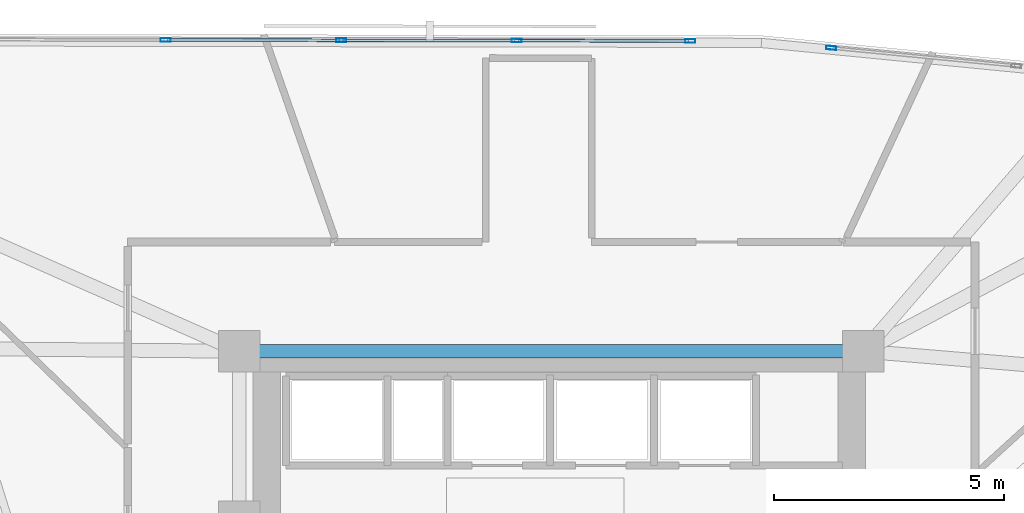
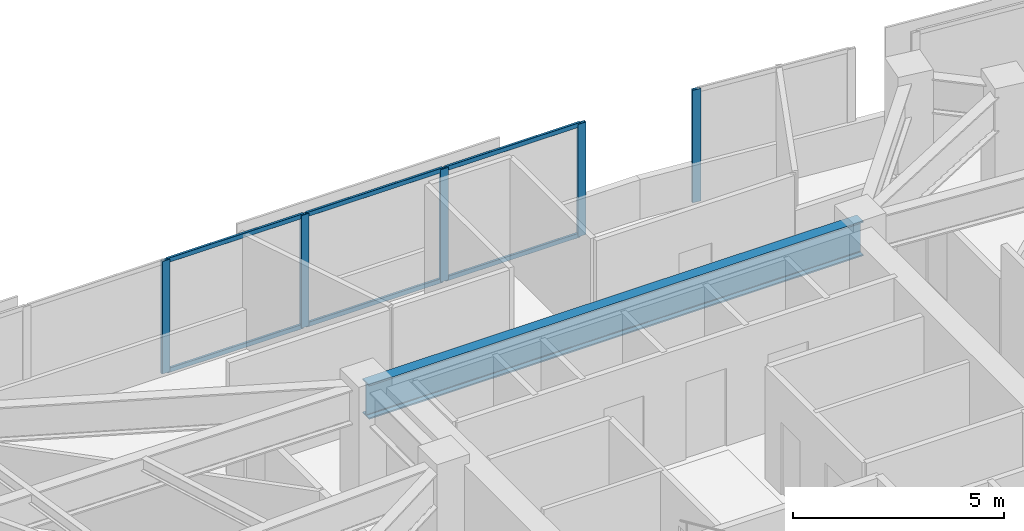
# One storey, part 3 of 14: 11 members, 1 beam, 2 elements without a shape of their own.
"""IFC4 building model written with IfcOpenShell, lengths in metres."""

from ifc_helpers import new_model, si_unit, direction, frame, origin, origin_2d, place, context, subcontext, project, spatial, hollow_rectangle, i_section, extrude, material, material_profile, profile_set, type_object, element, aggregate, save


model = new_model("IFC4")

# Units and contexts
model_context = context("Model", 3, precision=1e-05, world=origin(), true_north=direction((0.0, 1.0)))
body_context = subcontext(model_context, "Body", "Model", "MODEL_VIEW")
ifc_project = project(units=[si_unit("LENGTHUNIT", "METRE"), si_unit("AREAUNIT", "SQUARE_METRE"), si_unit("VOLUMEUNIT", "CUBIC_METRE"), si_unit("PLANEANGLEUNIT", "RADIAN"), si_unit("MASSUNIT", "GRAM", prefix="KILO")], contexts=[model_context])

# Site, building, storey
site_placement = place(None, origin())
site = spatial("IfcSite", under=ifc_project, at=site_placement, CompositionType="ELEMENT")
building_placement = place(site_placement, origin())
building = spatial("IfcBuilding", under=site, at=building_placement, Name="Narakoshi Arena Tower", CompositionType="ELEMENT")
storey_placement = place(building_placement, frame((0.0, 0.0, 260.739990234375)))
storey = spatial("IfcBuildingStorey", under=building, at=storey_placement, Name="L71", CompositionType="ELEMENT", Elevation=260.739990234375)

# Beam
ifc_material_1 = material(Name="Structural steel S460ML", Category="steel")
ifc_material_profile_1 = material_profile(ifc_material_1, i_section(OverallWidth=0.302001953125, OverallDepth=1.008056640625, WebThickness=0.02099609375, FlangeThickness=0.0400390625, FilletRadius=0.030029296875, at=origin_2d()), Name="HE1000M")
ifc_profile_set_1 = profile_set([ifc_material_profile_1], Name="Structural steel S460ML")
beam_type = type_object("IfcBeamType", Name="BM-XFER-1000", PredefinedType="BEAM", material=ifc_profile_set_1)
beam_placement = place(storey_placement, frame((72.0, 56.5, 2.756103515625), z_axis=(1.0, 0.0, 0.0), x_axis=(0.0, 1.0, 0.0)))
element("IfcBeam", 1, at=beam_placement, inside=storey, type_object=beam_type, Name="L71 Core Perimeter Frame Beam CC5-CC6", PredefinedType="BEAM", context=body_context, shape_type="SweptSolid", body=[
    extrude(i_section(OverallWidth=0.302001953125, OverallDepth=1.008056640625, WebThickness=0.02099609375, FlangeThickness=0.0400390625, FilletRadius=0.030029296875, at=origin_2d()), origin(), (0.0, 0.0, 1.0), 13.550048828125),
])

# Curtain wall, member
ifc_material_2 = material(Name="Anodised bronze aluminium 6063-T6", Category="aluminium")
curtain_wall_type = type_object("IfcCurtainWallType", Name="CW-HYP-HIGH", PredefinedType="NOTDEFINED", material=ifc_material_2)
curtain_wall_1_placement = place(storey_placement, origin())
curtain_wall_1 = element("IfcCurtainWall", 2, at=curtain_wall_1_placement, inside=storey, type_object=curtain_wall_type, Name="L71 Folded Hypotenuse Curtain Wall 1-2", PredefinedType="NOTDEFINED")
ifc_material_profile_2 = material_profile(ifc_material_2, hollow_rectangle(XDim=0.080078125, YDim=0.219970703125, WallThickness=0.0048828125, OuterFilletRadius=0.006103515625, at=origin_2d()), Name="MUL220x80x5")
ifc_profile_set_2 = profile_set([ifc_material_profile_2], Name="Anodised bronze aluminium 6063-T6")
member_type_1 = type_object("IfcMemberType", Name="MEM-MUL-220", PredefinedType="MULLION", material=ifc_profile_set_2)
member_1_placement = place(storey_placement, frame((84.853515625, 63.084716796875, 0.0), z_axis=(0.0, 0.0, 1.0), x_axis=(-0.096842858471, -0.995299683896, 0.0)))
member_1 = element("IfcMember", 3, at=member_1_placement, type_object=member_type_1, Name="CW-03 mullion 2", PredefinedType="MULLION", context=body_context, shape_type="SweptSolid", body=[
    extrude(hollow_rectangle(XDim=0.080078125, YDim=0.219970703125, WallThickness=0.0048828125, OuterFilletRadius=0.006103515625, at=origin_2d()), origin(), (0.0, 0.0, 1.0), 3.260009765625),
])
aggregate(curtain_wall_1, [member_1])

# Curtain wall, members
curtain_wall_2_placement = place(storey_placement, origin())
curtain_wall_2 = element("IfcCurtainWall", 4, at=curtain_wall_2_placement, inside=storey, type_object=curtain_wall_type, Name="L71 Folded Hypotenuse Curtain Wall 2-1", PredefinedType="NOTDEFINED")
member_2_placement = place(storey_placement, frame((81.792236328125, 63.236083984375, 0.0), z_axis=(0.0, 0.0, 1.0), x_axis=(-0.001819896899, -0.999998343986, 0.0)))
member_2 = element("IfcMember", 5, at=member_2_placement, type_object=member_type_1, Name="CW-03 mullion 1", PredefinedType="MULLION", context=body_context, shape_type="SweptSolid", body=[
    extrude(hollow_rectangle(XDim=0.080078125, YDim=0.219970703125, WallThickness=0.0048828125, OuterFilletRadius=0.006103515625, at=origin_2d()), origin(), (0.0, 0.0, 1.0), 3.260009765625),
])
member_3_placement = place(storey_placement, frame((78.0224609375, 63.242919921875, 0.0), z_axis=(0.0, 0.0, 1.0), x_axis=(-0.001819896899, -0.999998343986, 0.0)))
member_3 = element("IfcMember", 6, at=member_3_placement, type_object=member_type_1, Name="CW-03 mullion 2", PredefinedType="MULLION", context=body_context, shape_type="SweptSolid", body=[
    extrude(hollow_rectangle(XDim=0.080078125, YDim=0.219970703125, WallThickness=0.0048828125, OuterFilletRadius=0.006103515625, at=origin_2d()), origin(), (0.0, 0.0, 1.0), 3.260009765625),
])
member_4_placement = place(storey_placement, frame((74.212890625, 63.249755859375, 0.0), z_axis=(0.0, 0.0, 1.0), x_axis=(-0.001819896899, -0.999998343986, 0.0)))
member_4 = element("IfcMember", 7, at=member_4_placement, type_object=member_type_1, Name="CW-03 mullion 3", PredefinedType="MULLION", context=body_context, shape_type="SweptSolid", body=[
    extrude(hollow_rectangle(XDim=0.080078125, YDim=0.219970703125, WallThickness=0.0048828125, OuterFilletRadius=0.006103515625, at=origin_2d()), origin(), (0.0, 0.0, 1.0), 3.260009765625),
])
member_5_placement = place(storey_placement, frame((70.403076171875, 63.2568359375, 0.0), z_axis=(0.0, 0.0, 1.0), x_axis=(-0.001819896899, -0.999998343986, 0.0)))
member_5 = element("IfcMember", 8, at=member_5_placement, type_object=member_type_1, Name="CW-03 mullion 4", PredefinedType="MULLION", context=body_context, shape_type="SweptSolid", body=[
    extrude(hollow_rectangle(XDim=0.080078125, YDim=0.219970703125, WallThickness=0.0048828125, OuterFilletRadius=0.006103515625, at=origin_2d()), origin(), (0.0, 0.0, 1.0), 3.260009765625),
])
ifc_material_profile_3 = material_profile(ifc_material_2, hollow_rectangle(XDim=0.06494140625, YDim=0.1298828125, WallThickness=0.00390625, OuterFilletRadius=0.0048828125, at=origin_2d()), Name="TRN130x65x4")
ifc_profile_set_3 = profile_set([ifc_material_profile_3], Name="Anodised bronze aluminium 6063-T6")
member_type_2 = type_object("IfcMemberType", Name="MEM-TRN-130", PredefinedType="USERDEFINED", material=ifc_profile_set_3)
member_6_placement = place(storey_placement, frame((81.752197265625, 63.236083984375, 0.032470703125), z_axis=(-0.999998283738, 0.001852706408, 0.0), x_axis=(-0.001852706408, -0.999998283738, 0.0)))
member_6 = element("IfcMember", 9, at=member_6_placement, type_object=member_type_2, Name="CW-03 transom 1.1", ObjectType="TRANSOM", PredefinedType="USERDEFINED", context=body_context, shape_type="SweptSolid", body=[
    extrude(hollow_rectangle(XDim=0.06494140625, YDim=0.1298828125, WallThickness=0.00390625, OuterFilletRadius=0.0048828125, at=origin_2d()), origin(), (0.0, 0.0, 1.0), 3.689697265625),
])
member_7_placement = place(storey_placement, frame((81.752197265625, 63.236083984375, 3.2275390625), z_axis=(-0.999998283738, 0.001852706408, 0.0), x_axis=(-0.001852706408, -0.999998283738, 0.0)))
member_7 = element("IfcMember", 10, at=member_7_placement, type_object=member_type_2, Name="CW-03 transom 1.2", ObjectType="TRANSOM", PredefinedType="USERDEFINED", context=body_context, shape_type="SweptSolid", body=[
    extrude(hollow_rectangle(XDim=0.06494140625, YDim=0.1298828125, WallThickness=0.00390625, OuterFilletRadius=0.0048828125, at=origin_2d()), origin(), (0.0, 0.0, 1.0), 3.689697265625),
])
member_8_placement = place(storey_placement, frame((77.982666015625, 63.242919921875, 0.032470703125), z_axis=(-0.999998320389, 0.001832817502, 0.0), x_axis=(-0.001832817502, -0.999998320389, 0.0)))
member_8 = element("IfcMember", 11, at=member_8_placement, type_object=member_type_2, Name="CW-03 transom 2.1", ObjectType="TRANSOM", PredefinedType="USERDEFINED", context=body_context, shape_type="SweptSolid", body=[
    extrude(hollow_rectangle(XDim=0.06494140625, YDim=0.1298828125, WallThickness=0.00390625, OuterFilletRadius=0.0048828125, at=origin_2d()), origin(), (0.0, 0.0, 1.0), 3.729736328125),
])
member_9_placement = place(storey_placement, frame((77.982666015625, 63.242919921875, 3.2275390625), z_axis=(-0.999998320389, 0.001832817502, 0.0), x_axis=(-0.001832817502, -0.999998320389, 0.0)))
member_9 = element("IfcMember", 12, at=member_9_placement, type_object=member_type_2, Name="CW-03 transom 2.2", ObjectType="TRANSOM", PredefinedType="USERDEFINED", context=body_context, shape_type="SweptSolid", body=[
    extrude(hollow_rectangle(XDim=0.06494140625, YDim=0.1298828125, WallThickness=0.00390625, OuterFilletRadius=0.0048828125, at=origin_2d()), origin(), (0.0, 0.0, 1.0), 3.729736328125),
])
member_10_placement = place(storey_placement, frame((74.1728515625, 63.25, 0.032470703125), z_axis=(-0.999998320389, 0.001832817502, 0.0), x_axis=(-0.001832817502, -0.999998320389, 0.0)))
member_10 = element("IfcMember", 13, at=member_10_placement, type_object=member_type_2, Name="CW-03 transom 3.1", ObjectType="TRANSOM", PredefinedType="USERDEFINED", context=body_context, shape_type="SweptSolid", body=[
    extrude(hollow_rectangle(XDim=0.06494140625, YDim=0.1298828125, WallThickness=0.00390625, OuterFilletRadius=0.0048828125, at=origin_2d()), origin(), (0.0, 0.0, 1.0), 3.729736328125),
])
member_11_placement = place(storey_placement, frame((74.1728515625, 63.25, 3.2275390625), z_axis=(-0.999998320389, 0.001832817502, 0.0), x_axis=(-0.001832817502, -0.999998320389, 0.0)))
member_11 = element("IfcMember", 14, at=member_11_placement, type_object=member_type_2, Name="CW-03 transom 3.2", ObjectType="TRANSOM", PredefinedType="USERDEFINED", context=body_context, shape_type="SweptSolid", body=[
    extrude(hollow_rectangle(XDim=0.06494140625, YDim=0.1298828125, WallThickness=0.00390625, OuterFilletRadius=0.0048828125, at=origin_2d()), origin(), (0.0, 0.0, 1.0), 3.729736328125),
])
aggregate(curtain_wall_2, [member_2, member_3, member_4, member_5, member_6, member_7, member_8, member_9, member_10, member_11])

save(model, "model.ifc")
